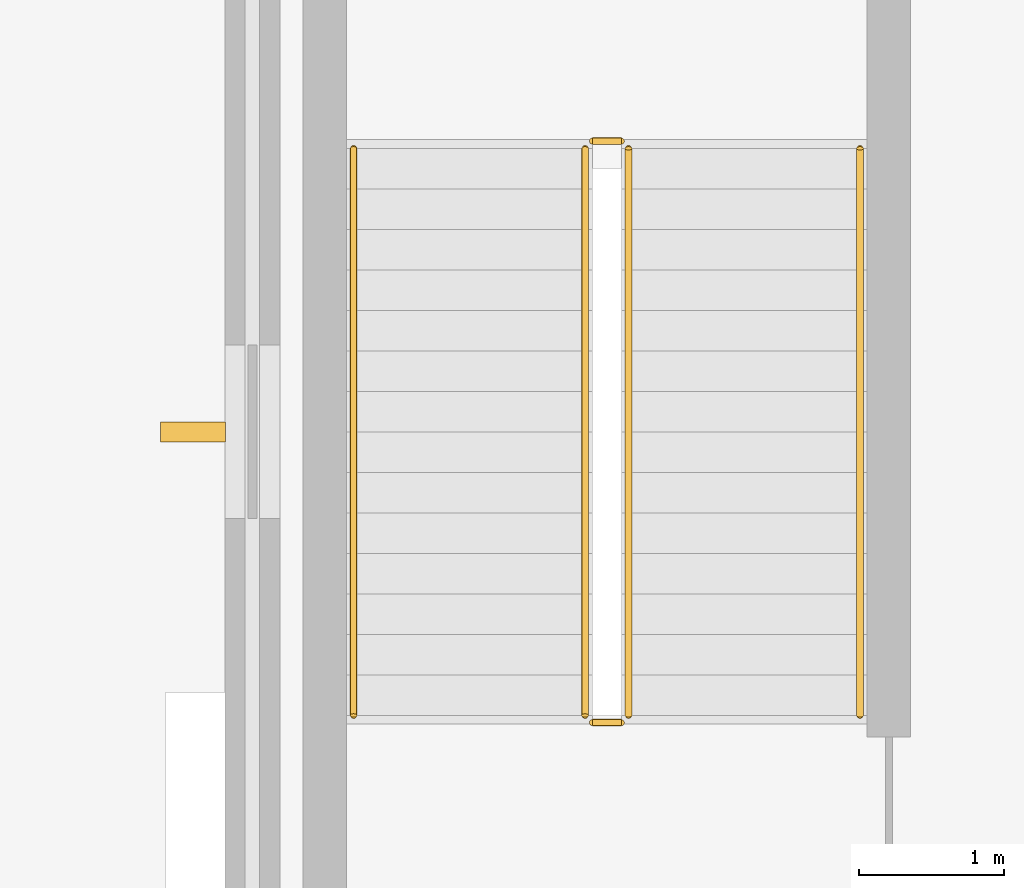
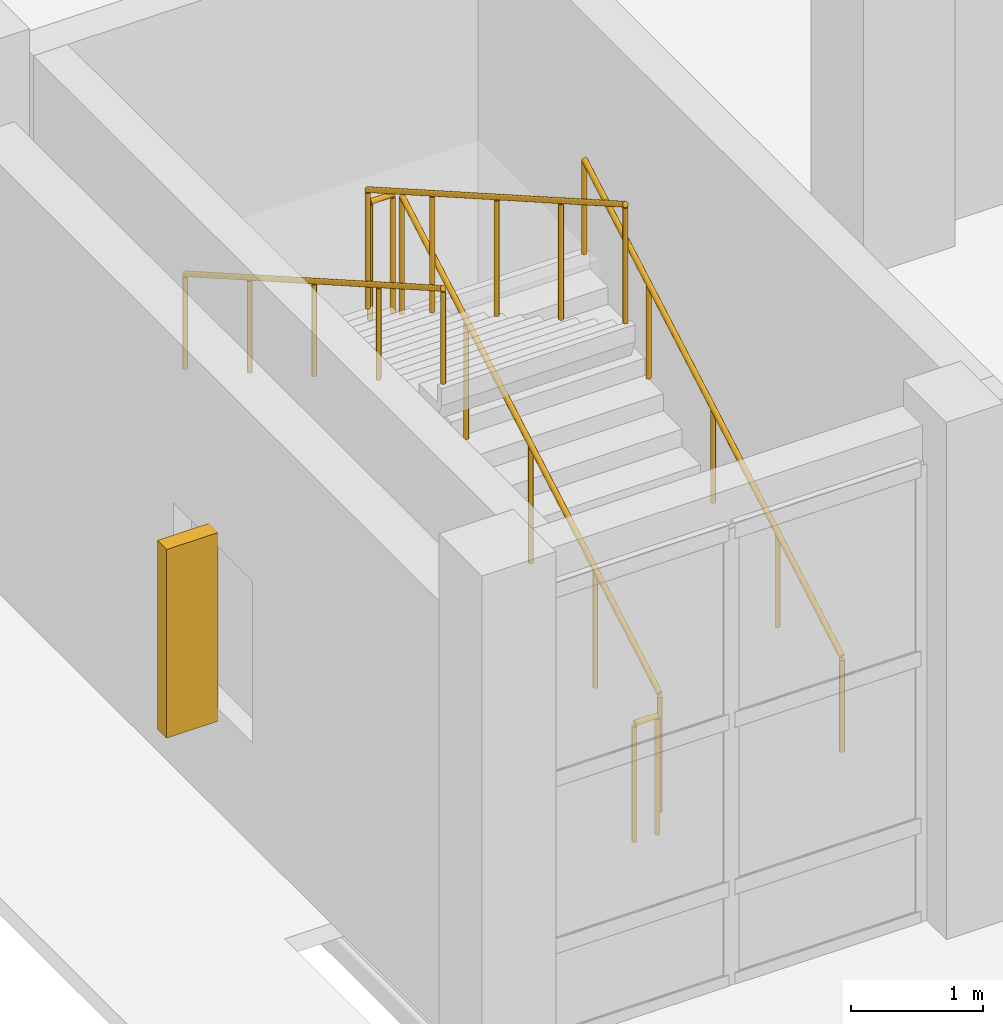
# One storey, part 138 of 156: 6 railings, 1 shading device.
"""IFC4 building model written with IfcOpenShell, lengths in metres."""

from ifc_helpers import new_model, si_unit, direction, frame, origin, origin_2d, place, context, subcontext, project, spatial, rectangle, circle, extrude, material, type_object, element, save


model = new_model("IFC4")

# Units and contexts
model_context = context("Model", 3, precision=1e-05, world=origin(), true_north=direction((0.0, 1.0)))
body_context = subcontext(model_context, "Body", "Model", "MODEL_VIEW")
ifc_project = project(units=[si_unit("LENGTHUNIT", "METRE"), si_unit("AREAUNIT", "SQUARE_METRE"), si_unit("VOLUMEUNIT", "CUBIC_METRE"), si_unit("PLANEANGLEUNIT", "RADIAN"), si_unit("MASSUNIT", "GRAM", prefix="KILO")], contexts=[model_context])

# Site, building, storey
site_placement = place(None, origin())
site = spatial("IfcSite", under=ifc_project, at=site_placement, CompositionType="ELEMENT")
building_placement = place(site_placement, origin())
building = spatial("IfcBuilding", under=site, at=building_placement, Name="Luwemba Playhouse", CompositionType="ELEMENT")
storey_placement = place(building_placement, origin())
storey = spatial("IfcBuildingStorey", under=building, at=storey_placement, Name="L00", CompositionType="ELEMENT", Elevation=0.0)

# Railings
ifc_material_1 = material(Name="Painted wrought-iron gallery balustrade", Category="steel")
railing_type_1 = type_object("IfcRailingType", Name="RLG-BAL-INT", PredefinedType="BALUSTRADE", material=ifc_material_1)
railing_1_placement = place(storey_placement, frame((6.60009765625, 38.0400390625, 0.159912109375)))
element("IfcRailing", 1, at=railing_1_placement, inside=storey, type_object=railing_type_1, Name="L00 ST-01 stair guard 1", PredefinedType="BALUSTRADE", context=body_context, shape_type="SweptSolid", body=[
    extrude(circle(Radius=0.02392578125, at=origin_2d()), frame((0.0, 0.0, 1.09619140625), z_axis=(0.0, 0.868239814368, 0.496144761885), x_axis=(-1.0, 0.0, 0.0)), (0.0, 0.0, 1.0), 4.514892578125),
    extrude(circle(Radius=0.02099609375, at=origin_2d()), origin(), (0.0, 0.0, 1.0), 1.072021484375),
    extrude(circle(Radius=0.02099609375, at=origin_2d()), frame((0.0, 0.97998046875, 0.56005859375)), (0.0, 0.0, 1.0), 1.072021484375),
    extrude(circle(Radius=0.02099609375, at=origin_2d()), frame((0.0, 1.9599609375, 1.1201171875)), (0.0, 0.0, 1.0), 1.072021484375),
    extrude(circle(Radius=0.02099609375, at=origin_2d()), frame((0.0, 2.93994140625, 1.679931640625)), (0.0, 0.0, 1.0), 1.072021484375),
    extrude(circle(Radius=0.02099609375, at=origin_2d()), frame((0.0, 3.919921875, 2.239990234375)), (0.0, 0.0, 1.0), 1.072021484375),
])
railing_2_placement = place(storey_placement, frame((6.550048828125, 42.010009765625, 2.39990234375)))
element("IfcRailing", 2, at=railing_2_placement, inside=storey, type_object=railing_type_1, Name="L00 ST-01 stair guard 2", PredefinedType="BALUSTRADE", context=body_context, shape_type="SweptSolid", body=[
    extrude(circle(Radius=0.02392578125, at=origin_2d()), frame((0.0, 0.0, 1.09619140625), z_axis=(-1.0, 0.0, 0.0), x_axis=(0.0, -1.0, 0.0)), (0.0, 0.0, 1.0), 0.199951171875),
    extrude(circle(Radius=0.02099609375, at=origin_2d()), origin(), (0.0, 0.0, 1.0), 1.072021484375),
    extrude(circle(Radius=0.02099609375, at=origin_2d()), frame((-0.199951171875, 0.0, 0.0)), (0.0, 0.0, 1.0), 1.072021484375),
])
railing_3_placement = place(storey_placement, frame((6.300048828125, 41.9599609375, 2.56005859375)))
element("IfcRailing", 3, at=railing_3_placement, inside=storey, type_object=railing_type_1, Name="L00 ST-01 stair guard 3", PredefinedType="BALUSTRADE", context=body_context, shape_type="SweptSolid", body=[
    extrude(circle(Radius=0.02392578125, at=origin_2d()), frame((0.0, 0.0, 1.09619140625), z_axis=(0.0, -0.868239814368, 0.496144761885), x_axis=(1.0, 0.0, 0.0)), (0.0, 0.0, 1.0), 4.514892578125),
    extrude(circle(Radius=0.02099609375, at=origin_2d()), origin(), (0.0, 0.0, 1.0), 1.072021484375),
    extrude(circle(Radius=0.02099609375, at=origin_2d()), frame((0.0, -0.97998046875, 0.56005859375)), (0.0, 0.0, 1.0), 1.072021484375),
    extrude(circle(Radius=0.02099609375, at=origin_2d()), frame((0.0, -1.9599609375, 1.1201171875)), (0.0, 0.0, 1.0), 1.072021484375),
    extrude(circle(Radius=0.02099609375, at=origin_2d()), frame((0.0, -2.93994140625, 1.679931640625)), (0.0, 0.0, 1.0), 1.072021484375),
    extrude(circle(Radius=0.02099609375, at=origin_2d()), frame((0.0, -3.919921875, 2.239990234375)), (0.0, 0.0, 1.0), 1.072021484375),
])
railing_4_placement = place(storey_placement, frame((6.550048828125, 37.989990234375, 0.0)))
element("IfcRailing", 4, at=railing_4_placement, inside=storey, type_object=railing_type_1, Name="L00 ST-01 stair guard 4", PredefinedType="BALUSTRADE", context=body_context, shape_type="SweptSolid", body=[
    extrude(circle(Radius=0.02392578125, at=origin_2d()), frame((0.0, 0.0, 1.09619140625), z_axis=(-1.0, 0.0, 0.0), x_axis=(0.0, -1.0, 0.0)), (0.0, 0.0, 1.0), 0.199951171875),
    extrude(circle(Radius=0.02099609375, at=origin_2d()), origin(), (0.0, 0.0, 1.0), 1.072021484375),
    extrude(circle(Radius=0.02099609375, at=origin_2d()), frame((-0.199951171875, 0.0, 0.0)), (0.0, 0.0, 1.0), 1.072021484375),
])
ifc_material_2 = material(Name="Hardwood and bronze handrail", Category="wood")
railing_type_2 = type_object("IfcRailingType", Name="RLG-HR-INT", PredefinedType="HANDRAIL", material=ifc_material_2)
railing_5_placement = place(storey_placement, frame((8.199951171875, 38.0400390625, 0.159912109375)))
element("IfcRailing", 5, at=railing_5_placement, inside=storey, type_object=railing_type_2, Name="L00 ST-01 stair handrail 1", PredefinedType="HANDRAIL", context=body_context, shape_type="SweptSolid", body=[
    extrude(circle(Radius=0.02392578125, at=origin_2d()), frame((0.0, 0.0, 0.8759765625), z_axis=(0.0, 0.868239814368, 0.496144761885), x_axis=(-1.0, 0.0, 0.0)), (0.0, 0.0, 1.0), 4.514892578125),
    extrude(circle(Radius=0.02099609375, at=origin_2d()), origin(), (0.0, 0.0, 1.0), 0.851806640625),
    extrude(circle(Radius=0.02099609375, at=origin_2d()), frame((0.0, 0.97998046875, 0.56005859375)), (0.0, 0.0, 1.0), 0.851806640625),
    extrude(circle(Radius=0.02099609375, at=origin_2d()), frame((0.0, 1.9599609375, 1.1201171875)), (0.0, 0.0, 1.0), 0.851806640625),
    extrude(circle(Radius=0.02099609375, at=origin_2d()), frame((0.0, 2.93994140625, 1.679931640625)), (0.0, 0.0, 1.0), 0.851806640625),
    extrude(circle(Radius=0.02099609375, at=origin_2d()), frame((0.0, 3.919921875, 2.239990234375)), (0.0, 0.0, 1.0), 0.851806640625),
])
railing_6_placement = place(storey_placement, frame((4.699951171875, 41.9599609375, 2.56005859375)))
element("IfcRailing", 6, at=railing_6_placement, inside=storey, type_object=railing_type_2, Name="L00 ST-01 stair handrail 2", PredefinedType="HANDRAIL", context=body_context, shape_type="SweptSolid", body=[
    extrude(circle(Radius=0.02392578125, at=origin_2d()), frame((0.0, 0.0, 0.8759765625), z_axis=(0.0, -0.868239814368, 0.496144761885), x_axis=(1.0, 0.0, 0.0)), (0.0, 0.0, 1.0), 4.514892578125),
    extrude(circle(Radius=0.02099609375, at=origin_2d()), origin(), (0.0, 0.0, 1.0), 0.851806640625),
    extrude(circle(Radius=0.02099609375, at=origin_2d()), frame((0.0, -0.97998046875, 0.56005859375)), (0.0, 0.0, 1.0), 0.851806640625),
    extrude(circle(Radius=0.02099609375, at=origin_2d()), frame((0.0, -1.9599609375, 1.1201171875)), (0.0, 0.0, 1.0), 0.851806640625),
    extrude(circle(Radius=0.02099609375, at=origin_2d()), frame((0.0, -2.93994140625, 1.679931640625)), (0.0, 0.0, 1.0), 0.851806640625),
    extrude(circle(Radius=0.02099609375, at=origin_2d()), frame((0.0, -3.919921875, 2.239990234375)), (0.0, 0.0, 1.0), 0.851806640625),
])

# Shading device
ifc_material_3 = material(Name="Extruded terracotta brise-soleil fin on steel bracket", Category="masonry")
shading_device_type = type_object("IfcShadingDeviceType", Name="SHD-BRISE", PredefinedType="USERDEFINED", material=ifc_material_3)
shading_device_placement = place(storey_placement, frame((3.590087890625, 40.0, 0.824951171875), z_axis=(0.0, 0.0, 1.0), x_axis=(0.0, 1.0, 0.0)))
element("IfcShadingDevice", 7, at=shading_device_placement, inside=storey, type_object=shading_device_type, Name="L00 terracotta brise-soleil fin 001", ObjectType="TERRACOTTA BRISE SOLEIL", PredefinedType="USERDEFINED", context=body_context, shape_type="SweptSolid", body=[
    extrude(rectangle(XDim=0.139892578125, YDim=0.449951171875, at=origin_2d()), origin(), (0.0, 0.0, 1.0), 1.75),
])

save(model, "model.ifc")
